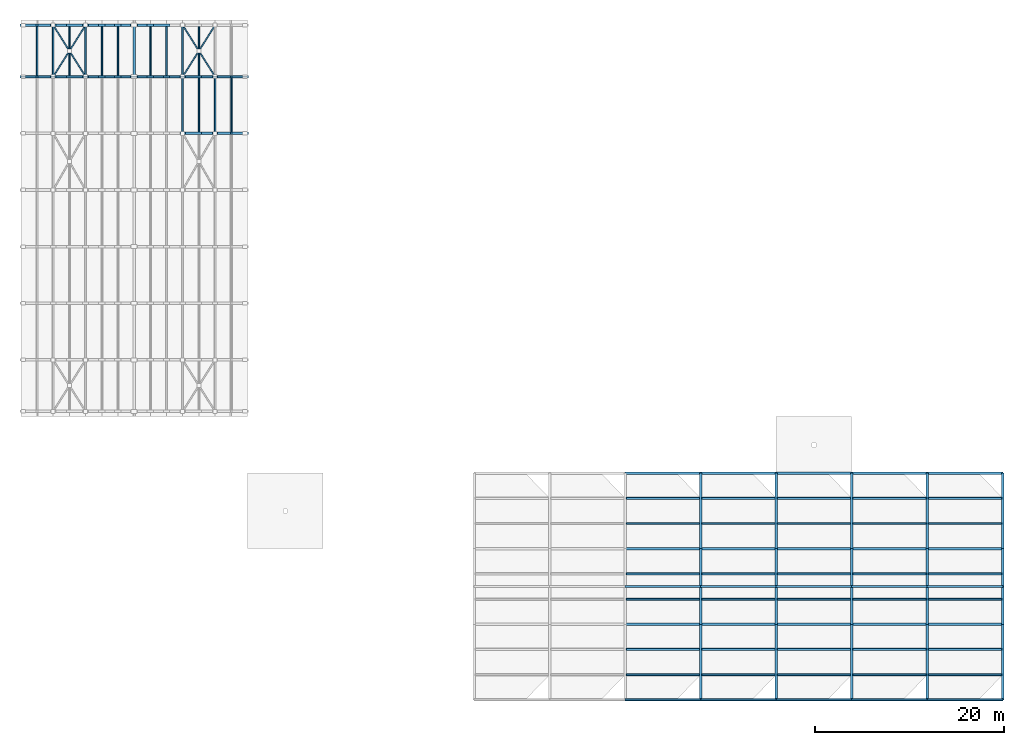
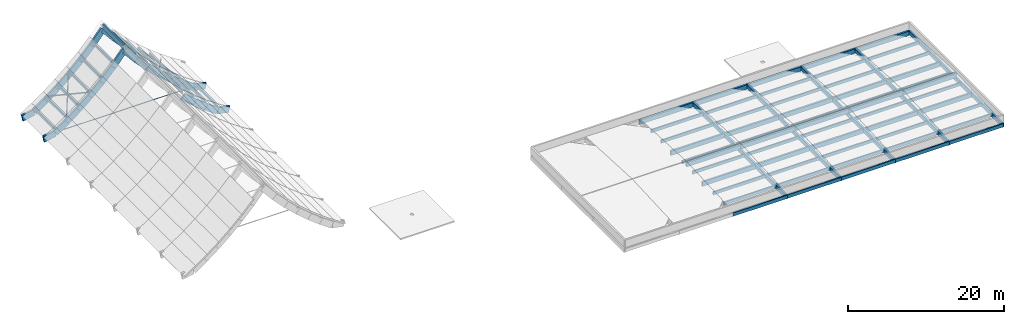
# One storey, part 3 of 7: 71 beams, 48 members.
"""IFC4 building model written with IfcOpenShell, lengths in metres."""

from ifc_helpers import new_model, si_unit, direction, frame, origin, origin_2d, place, context, subcontext, project, spatial, rectangle, hollow_rectangle, hollow_circle, extrude, material, material_profile, profile_set, type_object, element, save


model = new_model("IFC4")

# Units and contexts
model_context = context("Model", 3, precision=1e-05, world=origin(), true_north=direction((0.0, 1.0)))
body_context = subcontext(model_context, "Body", "Model", "MODEL_VIEW")
ifc_project = project(units=[si_unit("LENGTHUNIT", "METRE"), si_unit("AREAUNIT", "SQUARE_METRE"), si_unit("VOLUMEUNIT", "CUBIC_METRE"), si_unit("PLANEANGLEUNIT", "RADIAN"), si_unit("MASSUNIT", "GRAM", prefix="KILO")], contexts=[model_context])

# Site, building, storey
site_placement = place(None, origin())
site = spatial("IfcSite", under=ifc_project, at=site_placement, CompositionType="ELEMENT")
building_placement = place(site_placement, origin())
building = spatial("IfcBuilding", under=site, at=building_placement, Name="Solvane Community Centre", CompositionType="ELEMENT")
storey_placement = place(building_placement, frame((0.0, 0.0, 22.199951171875)))
storey = spatial("IfcBuildingStorey", under=building, at=storey_placement, Name="RF", CompositionType="ELEMENT", Elevation=22.199951171875)

# Beams
ifc_material_1 = material(Name="Glulam GL28h", Category="wood")
ifc_material_profile_1 = material_profile(ifc_material_1, rectangle(XDim=0.27001953125, YDim=0.699951171875, at=origin_2d()), Name="GL28h 270x700")
ifc_profile_set_1 = profile_set([ifc_material_profile_1], Name="Glulam GL28h")
beam_type_1 = type_object("IfcBeamType", Name="Glulam Library Girder 270x700", PredefinedType="USERDEFINED", material=ifc_profile_set_1)
for number, where, z_axis, x_axis, name in (
    (1, (100.0, 14.0, -0.550048828125), (1.0, 0.0, 0.0), (0.0, 1.0, 0.0), "Beam BM-RF-1000_140-1080_140"),
    (2, (108.0, 14.0, -0.550048828125), (1.0, 0.0, 0.0), (0.0, 1.0, 0.0), "Beam BM-RF-1080_140-1160_140"),
    (3, (116.0, 14.0, -0.550048828125), (1.0, 0.0, 0.0), (0.0, 1.0, 0.0), "Beam BM-RF-1160_140-1240_140"),
    (4, (124.0, 14.0, -0.550048828125), (1.0, 0.0, 0.0), (0.0, 1.0, 0.0), "Beam BM-RF-1240_140-1320_140"),
    (5, (132.0, 14.0, -0.550048828125), (1.0, 0.0, 0.0), (0.0, 1.0, 0.0), "Beam BM-RF-1320_140-1400_140"),
    (6, (100.0, 22.0, -0.550048828125), (1.0, 0.0, 0.0), (0.0, 1.0, 0.0), "Beam BM-RF-1000_220-1080_220"),
    (7, (108.0, 22.0, -0.550048828125), (1.0, 0.0, 0.0), (0.0, 1.0, 0.0), "Beam BM-RF-1080_220-1160_220"),
    (8, (116.0, 22.0, -0.550048828125), (1.0, 0.0, 0.0), (0.0, 1.0, 0.0), "Beam BM-RF-1160_220-1240_220"),
    (9, (124.0, 22.0, -0.550048828125), (1.0, 0.0, 0.0), (0.0, 1.0, 0.0), "Beam BM-RF-1240_220-1320_220"),
    (10, (132.0, 22.0, -0.550048828125), (1.0, 0.0, 0.0), (0.0, 1.0, 0.0), "Beam BM-RF-1320_220-1400_220"),
    (11, (100.0, 30.0, -0.550048828125), (1.0, 0.0, 0.0), (0.0, 1.0, 0.0), "Beam BM-RF-1000_300-1080_300"),
    (12, (108.0, 30.0, -0.550048828125), (1.0, 0.0, 0.0), (0.0, 1.0, 0.0), "Beam BM-RF-1080_300-1160_300"),
    (13, (116.0, 30.0, -0.550048828125), (1.0, 0.0, 0.0), (0.0, 1.0, 0.0), "Beam BM-RF-1160_300-1240_300"),
    (14, (124.0, 30.0, -0.550048828125), (1.0, 0.0, 0.0), (0.0, 1.0, 0.0), "Beam BM-RF-1240_300-1320_300"),
    (15, (132.0, 30.0, -0.550048828125), (1.0, 0.0, 0.0), (0.0, 1.0, 0.0), "Beam BM-RF-1320_300-1400_300"),
):
    element("IfcBeam", number, at=place(storey_placement, frame(where, z_axis=z_axis, x_axis=x_axis)), inside=storey, type_object=beam_type_1, Name=name, ObjectType="GIRDER", PredefinedType="USERDEFINED", context=body_context, shape_type="SweptSolid", body=[
        extrude(rectangle(XDim=0.27001953125, YDim=0.699951171875, at=origin_2d()), origin(), (0.0, 0.0, 1.0), 8.0),
    ])
ifc_material_profile_2 = material_profile(ifc_material_1, rectangle(XDim=0.199951171875, YDim=0.47998046875, at=origin_2d()), Name="GL28h 200x480")
ifc_profile_set_2 = profile_set([ifc_material_profile_2], Name="Glulam GL28h")
beam_type_2 = type_object("IfcBeamType", Name="Glulam Medium Joist 200x480", PredefinedType="JOIST", material=ifc_profile_set_2)
for number, where, z_axis, x_axis, name in (
    (16, (100.1298828125, 8.666748046875, -0.43994140625), (1.0, 0.0, 0.0), (0.0, 1.0, 0.0), "Beam BM-RF-1001_87-1079_87"),
    (17, (100.1298828125, 11.333251953125, -0.43994140625), (1.0, 0.0, 0.0), (0.0, 1.0, 0.0), "Beam BM-RF-1001_113-1079_113"),
    (18, (100.1298828125, 16.666748046875, -0.43994140625), (1.0, 0.0, 0.0), (0.0, 1.0, 0.0), "Beam BM-RF-1001_167-1079_167"),
    (19, (100.1298828125, 19.333251953125, -0.43994140625), (1.0, 0.0, 0.0), (0.0, 1.0, 0.0), "Beam BM-RF-1001_193-1079_193"),
    (20, (100.1298828125, 24.666748046875, -0.43994140625), (1.0, 0.0, 0.0), (0.0, 1.0, 0.0), "Beam BM-RF-1001_247-1079_247"),
    (21, (100.1298828125, 27.333251953125, -0.43994140625), (1.0, 0.0, 0.0), (0.0, 1.0, 0.0), "Beam BM-RF-1001_273-1079_273"),
    (22, (108.1298828125, 8.666748046875, -0.43994140625), (1.0, 0.0, 0.0), (0.0, 1.0, 0.0), "Beam BM-RF-1081_87-1159_87"),
    (23, (108.1298828125, 11.333251953125, -0.43994140625), (1.0, 0.0, 0.0), (0.0, 1.0, 0.0), "Beam BM-RF-1081_113-1159_113"),
    (24, (108.1298828125, 16.666748046875, -0.43994140625), (1.0, 0.0, 0.0), (0.0, 1.0, 0.0), "Beam BM-RF-1081_167-1159_167"),
    (25, (108.1298828125, 19.333251953125, -0.43994140625), (1.0, 0.0, 0.0), (0.0, 1.0, 0.0), "Beam BM-RF-1081_193-1159_193"),
    (26, (108.1298828125, 24.666748046875, -0.43994140625), (1.0, 0.0, 0.0), (0.0, 1.0, 0.0), "Beam BM-RF-1081_247-1159_247"),
    (27, (108.1298828125, 27.333251953125, -0.43994140625), (1.0, 0.0, 0.0), (0.0, 1.0, 0.0), "Beam BM-RF-1081_273-1159_273"),
    (28, (116.1298828125, 8.666748046875, -0.43994140625), (1.0, 0.0, 0.0), (0.0, 1.0, 0.0), "Beam BM-RF-1161_87-1239_87"),
    (29, (116.1298828125, 11.333251953125, -0.43994140625), (1.0, 0.0, 0.0), (0.0, 1.0, 0.0), "Beam BM-RF-1161_113-1239_113"),
    (30, (116.1298828125, 16.666748046875, -0.43994140625), (1.0, 0.0, 0.0), (0.0, 1.0, 0.0), "Beam BM-RF-1161_167-1239_167"),
    (31, (116.1298828125, 19.333251953125, -0.43994140625), (1.0, 0.0, 0.0), (0.0, 1.0, 0.0), "Beam BM-RF-1161_193-1239_193"),
    (32, (116.1298828125, 24.666748046875, -0.43994140625), (1.0, 0.0, 0.0), (0.0, 1.0, 0.0), "Beam BM-RF-1161_247-1239_247"),
    (33, (116.1298828125, 27.333251953125, -0.43994140625), (1.0, 0.0, 0.0), (0.0, 1.0, 0.0), "Beam BM-RF-1161_273-1239_273"),
    (34, (124.1298828125, 8.666748046875, -0.43994140625), (1.0, 0.0, 0.0), (0.0, 1.0, 0.0), "Beam BM-RF-1241_87-1319_87"),
    (35, (124.1298828125, 11.333251953125, -0.43994140625), (1.0, 0.0, 0.0), (0.0, 1.0, 0.0), "Beam BM-RF-1241_113-1319_113"),
    (36, (124.1298828125, 16.666748046875, -0.43994140625), (1.0, 0.0, 0.0), (0.0, 1.0, 0.0), "Beam BM-RF-1241_167-1319_167"),
    (37, (124.1298828125, 19.333251953125, -0.43994140625), (1.0, 0.0, 0.0), (0.0, 1.0, 0.0), "Beam BM-RF-1241_193-1319_193"),
    (38, (124.1298828125, 24.666748046875, -0.43994140625), (1.0, 0.0, 0.0), (0.0, 1.0, 0.0), "Beam BM-RF-1241_247-1319_247"),
    (39, (124.1298828125, 27.333251953125, -0.43994140625), (1.0, 0.0, 0.0), (0.0, 1.0, 0.0), "Beam BM-RF-1241_273-1319_273"),
    (40, (132.1298828125, 8.666748046875, -0.43994140625), (1.0, 0.0, 0.0), (0.0, 1.0, 0.0), "Beam BM-RF-1321_87-1399_87"),
    (41, (132.1298828125, 11.333251953125, -0.43994140625), (1.0, 0.0, 0.0), (0.0, 1.0, 0.0), "Beam BM-RF-1321_113-1399_113"),
    (42, (132.1298828125, 16.666748046875, -0.43994140625), (1.0, 0.0, 0.0), (0.0, 1.0, 0.0), "Beam BM-RF-1321_167-1399_167"),
    (43, (132.1298828125, 19.333251953125, -0.43994140625), (1.0, 0.0, 0.0), (0.0, 1.0, 0.0), "Beam BM-RF-1321_193-1399_193"),
    (44, (132.1298828125, 24.666748046875, -0.43994140625), (1.0, 0.0, 0.0), (0.0, 1.0, 0.0), "Beam BM-RF-1321_247-1399_247"),
    (45, (132.1298828125, 27.333251953125, -0.43994140625), (1.0, 0.0, 0.0), (0.0, 1.0, 0.0), "Beam BM-RF-1321_273-1399_273"),
):
    element("IfcBeam", number, at=place(storey_placement, frame(where, z_axis=z_axis, x_axis=x_axis)), inside=storey, type_object=beam_type_2, Name=name, PredefinedType="JOIST", context=body_context, shape_type="SweptSolid", body=[
        extrude(rectangle(XDim=0.199951171875, YDim=0.47998046875, at=origin_2d()), origin(), (0.0, 0.0, 1.0), 7.740234375),
    ])
ifc_material_profile_3 = material_profile(ifc_material_1, rectangle(XDim=0.260009765625, YDim=0.679931640625, at=origin_2d()), Name="GL28h 260x680")
ifc_profile_set_3 = profile_set([ifc_material_profile_3], Name="Glulam GL28h")
beam_type_3 = type_object("IfcBeamType", Name="Glulam Primary Girder 260x680", PredefinedType="USERDEFINED", material=ifc_profile_set_3)
for number, where, z_axis, x_axis, name in (
    (46, (100.0, 18.0, 0.06005859375), (1.0, 0.0, 0.0), (0.0, 1.0, 0.0), "Beam BM-RF-1000_180-1080_180"),
    (47, (108.0, 18.0, 0.06005859375), (1.0, 0.0, 0.0), (0.0, 1.0, 0.0), "Beam BM-RF-1080_180-1160_180"),
    (48, (116.0, 18.0, 0.06005859375), (1.0, 0.0, 0.0), (0.0, 1.0, 0.0), "Beam BM-RF-1160_180-1240_180"),
    (49, (124.0, 18.0, 0.06005859375), (1.0, 0.0, 0.0), (0.0, 1.0, 0.0), "Beam BM-RF-1240_180-1320_180"),
    (50, (132.0, 18.0, 0.06005859375), (1.0, 0.0, 0.0), (0.0, 1.0, 0.0), "Beam BM-RF-1320_180-1400_180"),
):
    element("IfcBeam", number, at=place(storey_placement, frame(where, z_axis=z_axis, x_axis=x_axis)), inside=storey, type_object=beam_type_3, Name=name, ObjectType="GIRDER", PredefinedType="USERDEFINED", context=body_context, shape_type="SweptSolid", body=[
        extrude(rectangle(XDim=0.260009765625, YDim=0.679931640625, at=origin_2d()), origin(), (0.0, 0.0, 1.0), 8.0),
    ])
ifc_material_profile_4 = material_profile(ifc_material_1, rectangle(XDim=0.199951171875, YDim=0.52001953125, at=origin_2d()), Name="GL28h 200x520")
ifc_profile_set_4 = profile_set([ifc_material_profile_4], Name="Glulam GL28h")
beam_type_4 = type_object("IfcBeamType", Name="Glulam Spandrel Beam 200x520", PredefinedType="SPANDREL", material=ifc_profile_set_4)
for number, where, z_axis, x_axis, name in (
    (51, (100.0, 6.0, -0.4599609375), (1.0, 0.0, 0.0), (0.0, 1.0, 0.0), "Beam BM-RF-1000_60-1080_60"),
    (52, (108.0, 6.0, -0.4599609375), (1.0, 0.0, 0.0), (0.0, 1.0, 0.0), "Beam BM-RF-1080_60-1160_60"),
    (53, (116.0, 6.0, -0.4599609375), (1.0, 0.0, 0.0), (0.0, 1.0, 0.0), "Beam BM-RF-1160_60-1240_60"),
    (54, (124.0, 6.0, -0.4599609375), (1.0, 0.0, 0.0), (0.0, 1.0, 0.0), "Beam BM-RF-1240_60-1320_60"),
    (55, (132.0, 6.0, -0.4599609375), (1.0, 0.0, 0.0), (0.0, 1.0, 0.0), "Beam BM-RF-1320_60-1400_60"),
):
    element("IfcBeam", number, at=place(storey_placement, frame(where, z_axis=z_axis, x_axis=x_axis)), inside=storey, type_object=beam_type_4, Name=name, PredefinedType="SPANDREL", context=body_context, shape_type="SweptSolid", body=[
        extrude(rectangle(XDim=0.199951171875, YDim=0.52001953125, at=origin_2d()), origin(), (0.0, 0.0, 1.0), 8.0),
    ])
ifc_material_profile_5 = material_profile(ifc_material_1, rectangle(XDim=0.260009765625, YDim=0.639892578125, at=origin_2d()), Name="GL28h 260x640")
ifc_profile_set_5 = profile_set([ifc_material_profile_5], Name="Glulam GL28h")
beam_type_5 = type_object("IfcBeamType", Name="Glulam Studio Beam 260x640", PredefinedType="BEAM", material=ifc_profile_set_5)
for number, where, z_axis, x_axis, name in (
    (56, (108.0, 6.0, -0.52001953125), (0.0, 1.0, 0.0), (-1.0, 0.0, 0.0), "Beam BM-RF-1080_60-1080_140"),
    (57, (108.0, 14.0, -0.52001953125), (0.0, 1.0, 0.0), (-1.0, 0.0, 0.0), "Beam BM-RF-1080_140-1080_220"),
    (58, (108.0, 22.0, -0.52001953125), (0.0, 1.0, 0.0), (-1.0, 0.0, 0.0), "Beam BM-RF-1080_220-1080_300"),
    (59, (116.0, 6.0, -0.52001953125), (0.0, 1.0, 0.0), (-1.0, 0.0, 0.0), "Beam BM-RF-1160_60-1160_140"),
    (60, (116.0, 14.0, -0.52001953125), (0.0, 1.0, 0.0), (-1.0, 0.0, 0.0), "Beam BM-RF-1160_140-1160_220"),
    (61, (116.0, 22.0, -0.52001953125), (0.0, 1.0, 0.0), (-1.0, 0.0, 0.0), "Beam BM-RF-1160_220-1160_300"),
    (62, (124.0, 6.0, -0.52001953125), (0.0, 1.0, 0.0), (-1.0, 0.0, 0.0), "Beam BM-RF-1240_60-1240_140"),
    (63, (124.0, 14.0, -0.52001953125), (0.0, 1.0, 0.0), (-1.0, 0.0, 0.0), "Beam BM-RF-1240_140-1240_220"),
    (64, (124.0, 22.0, -0.52001953125), (0.0, 1.0, 0.0), (-1.0, 0.0, 0.0), "Beam BM-RF-1240_220-1240_300"),
    (65, (132.0, 6.0, -0.52001953125), (0.0, 1.0, 0.0), (-1.0, 0.0, 0.0), "Beam BM-RF-1320_60-1320_140"),
    (66, (132.0, 14.0, -0.52001953125), (0.0, 1.0, 0.0), (-1.0, 0.0, 0.0), "Beam BM-RF-1320_140-1320_220"),
    (67, (132.0, 22.0, -0.52001953125), (0.0, 1.0, 0.0), (-1.0, 0.0, 0.0), "Beam BM-RF-1320_220-1320_300"),
    (68, (140.0, 6.0, -0.52001953125), (0.0, 1.0, 0.0), (-1.0, 0.0, 0.0), "Beam BM-RF-1400_60-1400_140"),
    (69, (140.0, 14.0, -0.52001953125), (0.0, 1.0, 0.0), (-1.0, 0.0, 0.0), "Beam BM-RF-1400_140-1400_220"),
    (70, (140.0, 22.0, -0.52001953125), (0.0, 1.0, 0.0), (-1.0, 0.0, 0.0), "Beam BM-RF-1400_220-1400_300"),
):
    element("IfcBeam", number, at=place(storey_placement, frame(where, z_axis=z_axis, x_axis=x_axis)), inside=storey, type_object=beam_type_5, Name=name, PredefinedType="BEAM", context=body_context, shape_type="SweptSolid", body=[
        extrude(rectangle(XDim=0.260009765625, YDim=0.639892578125, at=origin_2d()), origin(), (0.0, 0.0, 1.0), 8.0),
    ])
ifc_material_2 = material(Name="Glulam GL32h", Category="wood")
ifc_material_profile_6 = material_profile(ifc_material_2, rectangle(XDim=0.260009765625, YDim=0.760009765625, at=origin_2d()), Name="GL32h 260x760")
ifc_profile_set_6 = profile_set([ifc_material_profile_6], Name="Glulam GL32h")
beam_type_6 = type_object("IfcBeamType", Name="Glulam Vault Apex Ridge 260x760", PredefinedType="USERDEFINED", material=ifc_profile_set_6)
beam_placement = place(storey_placement, frame((48.0, 72.0, 3.901123046875), z_axis=(0.0, 1.0, 0.0), x_axis=(-1.0, 0.0, 0.0)))
element("IfcBeam", 71, at=beam_placement, inside=storey, type_object=beam_type_6, Name="Beam BM-RF-480_720-480_774", ObjectType="GIRDER", PredefinedType="USERDEFINED", context=body_context, shape_type="SweptSolid", body=[
    extrude(rectangle(XDim=0.260009765625, YDim=0.760009765625, at=origin_2d()), origin(), (0.0, 0.0, 1.0), 5.449951171875),
])

# Members
ifc_material_profile_7 = material_profile(ifc_material_2, rectangle(XDim=0.280029296875, YDim=0.9599609375, at=origin_2d()), Name="GL32h 280x960")
ifc_profile_set_7 = profile_set([ifc_material_profile_7], Name="Glulam GL32h")
member_type_1 = type_object("IfcMemberType", Name="Main Hall Concave Vault Arch Rib 280x960", PredefinedType="USERDEFINED", material=ifc_profile_set_7)
member_1_placement = place(storey_placement, frame((53.142822265625, 66.0, -1.991455078125), z_axis=(0.761120350915, 0.0, -0.648610677852), x_axis=(0.0, 1.0, 0.0)))
element("IfcMember", 72, at=member_1_placement, inside=storey, type_object=member_type_1, Name="Member MEM-RF-0085", ObjectType="ARCH_SEGMENT", PredefinedType="USERDEFINED", context=body_context, shape_type="SweptSolid", body=[
    extrude(rectangle(XDim=0.280029296875, YDim=0.9599609375, at=origin_2d()), origin(), (0.0, 0.0, 1.0), 2.25244140625),
])
member_2_placement = place(storey_placement, frame((54.857177734375, 66.0, -3.452392578125), z_axis=(0.791780697504, 0.0, -0.610805473993), x_axis=(0.0, 1.0, 0.0)))
element("IfcMember", 73, at=member_2_placement, inside=storey, type_object=member_type_1, Name="Member MEM-RF-0086", ObjectType="ARCH_SEGMENT", PredefinedType="USERDEFINED", context=body_context, shape_type="SweptSolid", body=[
    extrude(rectangle(XDim=0.280029296875, YDim=0.9599609375, at=origin_2d()), origin(), (0.0, 0.0, 1.0), 2.165283203125),
])
member_3_placement = place(storey_placement, frame((56.571533203125, 66.0, -4.77490234375), z_axis=(0.819489561323, 0.0, -0.57309410997), x_axis=(0.0, 1.0, 0.0)))
element("IfcMember", 74, at=member_3_placement, inside=storey, type_object=member_type_1, Name="Member MEM-RF-0087", ObjectType="ARCH_SEGMENT", PredefinedType="USERDEFINED", context=body_context, shape_type="SweptSolid", body=[
    extrude(rectangle(XDim=0.280029296875, YDim=0.9599609375, at=origin_2d()), origin(), (0.0, 0.0, 1.0), 2.091796875),
])
for number, where, z_axis, x_axis, name in (
    (75, (58.28564453125, 66.0, -5.9736328125), (0.982352033108, 0.0, -0.187041393943), (0.0, 1.0, 0.0), "Member MEM-RF-0088"),
    (76, (36.0, 72.0, -6.300048828125), (0.982352033108, 0.0, 0.187041393943), (0.0, 1.0, 0.0), "Member MEM-RF-0090"),
):
    element("IfcMember", number, at=place(storey_placement, frame(where, z_axis=z_axis, x_axis=x_axis)), inside=storey, type_object=member_type_1, Name=name, ObjectType="ARCH_SEGMENT", PredefinedType="USERDEFINED", context=body_context, shape_type="SweptSolid", body=[
        extrude(rectangle(XDim=0.280029296875, YDim=0.9599609375, at=origin_2d()), origin(), (0.0, 0.0, 1.0), 1.7451171875),
    ])
member_4_placement = place(storey_placement, frame((37.71435546875, 72.0, -5.9736328125), z_axis=(0.819489561323, 0.0, 0.57309410997), x_axis=(0.0, 1.0, 0.0)))
element("IfcMember", 77, at=member_4_placement, inside=storey, type_object=member_type_1, Name="Member MEM-RF-0091", ObjectType="ARCH_SEGMENT", PredefinedType="USERDEFINED", context=body_context, shape_type="SweptSolid", body=[
    extrude(rectangle(XDim=0.280029296875, YDim=0.9599609375, at=origin_2d()), origin(), (0.0, 0.0, 1.0), 2.091796875),
])
member_5_placement = place(storey_placement, frame((39.428466796875, 72.0, -4.77490234375), z_axis=(0.791780697504, 0.0, 0.610805473993), x_axis=(0.0, 1.0, 0.0)))
element("IfcMember", 78, at=member_5_placement, inside=storey, type_object=member_type_1, Name="Member MEM-RF-0092", ObjectType="ARCH_SEGMENT", PredefinedType="USERDEFINED", context=body_context, shape_type="SweptSolid", body=[
    extrude(rectangle(XDim=0.280029296875, YDim=0.9599609375, at=origin_2d()), origin(), (0.0, 0.0, 1.0), 2.165283203125),
])
member_6_placement = place(storey_placement, frame((41.142822265625, 72.0, -3.452392578125), z_axis=(0.761120350915, 0.0, 0.648610677852), x_axis=(0.0, 1.0, 0.0)))
element("IfcMember", 79, at=member_6_placement, inside=storey, type_object=member_type_1, Name="Member MEM-RF-0093", ObjectType="ARCH_SEGMENT", PredefinedType="USERDEFINED", context=body_context, shape_type="SweptSolid", body=[
    extrude(rectangle(XDim=0.280029296875, YDim=0.9599609375, at=origin_2d()), origin(), (0.0, 0.0, 1.0), 2.25244140625),
])
member_7_placement = place(storey_placement, frame((42.857177734375, 72.0, -1.991455078125), z_axis=(0.727369263195, 0.0, 0.686246278648), x_axis=(0.0, 1.0, 0.0)))
element("IfcMember", 80, at=member_7_placement, inside=storey, type_object=member_type_1, Name="Member MEM-RF-0094", ObjectType="ARCH_SEGMENT", PredefinedType="USERDEFINED", context=body_context, shape_type="SweptSolid", body=[
    extrude(rectangle(XDim=0.280029296875, YDim=0.9599609375, at=origin_2d()), origin(), (0.0, 0.0, 1.0), 2.35693359375),
])
member_8_placement = place(storey_placement, frame((44.571533203125, 72.0, -0.3740234375), z_axis=(0.689706682626, 0.0, 0.724088870195), x_axis=(0.0, 1.0, 0.0)))
element("IfcMember", 81, at=member_8_placement, inside=storey, type_object=member_type_1, Name="Member MEM-RF-0095", ObjectType="ARCH_SEGMENT", PredefinedType="USERDEFINED", context=body_context, shape_type="SweptSolid", body=[
    extrude(rectangle(XDim=0.280029296875, YDim=0.9599609375, at=origin_2d()), origin(), (0.0, 0.0, 1.0), 2.4853515625),
])
for number, where, z_axis, x_axis, name in (
    (82, (46.28564453125, 72.0, 1.425537109375), (0.643260831672, 0.0, 0.765647113517), (0.0, 1.0, 0.0), "Member MEM-RF-0096"),
    (83, (48.0, 72.0, 3.466064453125), (0.643260831672, 0.0, -0.765647113517), (0.0, 1.0, 0.0), "Member MEM-RF-0097"),
):
    element("IfcMember", number, at=place(storey_placement, frame(where, z_axis=z_axis, x_axis=x_axis)), inside=storey, type_object=member_type_1, Name=name, ObjectType="ARCH_SEGMENT", PredefinedType="USERDEFINED", context=body_context, shape_type="SweptSolid", body=[
        extrude(rectangle(XDim=0.280029296875, YDim=0.9599609375, at=origin_2d()), origin(), (0.0, 0.0, 1.0), 2.6650390625),
    ])
member_9_placement = place(storey_placement, frame((49.71435546875, 72.0, 1.425537109375), z_axis=(0.689706682626, 0.0, -0.724088870195), x_axis=(0.0, 1.0, 0.0)))
element("IfcMember", 84, at=member_9_placement, inside=storey, type_object=member_type_1, Name="Member MEM-RF-0098", ObjectType="ARCH_SEGMENT", PredefinedType="USERDEFINED", context=body_context, shape_type="SweptSolid", body=[
    extrude(rectangle(XDim=0.280029296875, YDim=0.9599609375, at=origin_2d()), origin(), (0.0, 0.0, 1.0), 2.4853515625),
])
member_10_placement = place(storey_placement, frame((51.428466796875, 72.0, -0.3740234375), z_axis=(0.727369263195, 0.0, -0.686246278648), x_axis=(0.0, 1.0, 0.0)))
element("IfcMember", 85, at=member_10_placement, inside=storey, type_object=member_type_1, Name="Member MEM-RF-0099", ObjectType="ARCH_SEGMENT", PredefinedType="USERDEFINED", context=body_context, shape_type="SweptSolid", body=[
    extrude(rectangle(XDim=0.280029296875, YDim=0.9599609375, at=origin_2d()), origin(), (0.0, 0.0, 1.0), 2.35693359375),
])
member_11_placement = place(storey_placement, frame((53.142822265625, 72.0, -1.991455078125), z_axis=(0.761120350915, 0.0, -0.648610677852), x_axis=(0.0, 1.0, 0.0)))
element("IfcMember", 86, at=member_11_placement, inside=storey, type_object=member_type_1, Name="Member MEM-RF-0100", ObjectType="ARCH_SEGMENT", PredefinedType="USERDEFINED", context=body_context, shape_type="SweptSolid", body=[
    extrude(rectangle(XDim=0.280029296875, YDim=0.9599609375, at=origin_2d()), origin(), (0.0, 0.0, 1.0), 2.25244140625),
])
member_12_placement = place(storey_placement, frame((54.857177734375, 72.0, -3.452392578125), z_axis=(0.791780697504, 0.0, -0.610805473993), x_axis=(0.0, 1.0, 0.0)))
element("IfcMember", 87, at=member_12_placement, inside=storey, type_object=member_type_1, Name="Member MEM-RF-0101", ObjectType="ARCH_SEGMENT", PredefinedType="USERDEFINED", context=body_context, shape_type="SweptSolid", body=[
    extrude(rectangle(XDim=0.280029296875, YDim=0.9599609375, at=origin_2d()), origin(), (0.0, 0.0, 1.0), 2.165283203125),
])
member_13_placement = place(storey_placement, frame((56.571533203125, 72.0, -4.77490234375), z_axis=(0.819489561323, 0.0, -0.57309410997), x_axis=(0.0, 1.0, 0.0)))
element("IfcMember", 88, at=member_13_placement, inside=storey, type_object=member_type_1, Name="Member MEM-RF-0102", ObjectType="ARCH_SEGMENT", PredefinedType="USERDEFINED", context=body_context, shape_type="SweptSolid", body=[
    extrude(rectangle(XDim=0.280029296875, YDim=0.9599609375, at=origin_2d()), origin(), (0.0, 0.0, 1.0), 2.091796875),
])
for number, where, z_axis, x_axis, name in (
    (89, (58.28564453125, 72.0, -5.9736328125), (0.982352033108, 0.0, -0.187041393943), (0.0, 1.0, 0.0), "Member MEM-RF-0103"),
    (90, (36.0, 77.449951171875, -6.300048828125), (0.982352033108, 0.0, 0.187041393943), (0.0, 1.0, 0.0), "Member MEM-RF-0105"),
):
    element("IfcMember", number, at=place(storey_placement, frame(where, z_axis=z_axis, x_axis=x_axis)), inside=storey, type_object=member_type_1, Name=name, ObjectType="ARCH_SEGMENT", PredefinedType="USERDEFINED", context=body_context, shape_type="SweptSolid", body=[
        extrude(rectangle(XDim=0.280029296875, YDim=0.9599609375, at=origin_2d()), origin(), (0.0, 0.0, 1.0), 1.7451171875),
    ])
member_14_placement = place(storey_placement, frame((37.71435546875, 77.449951171875, -5.9736328125), z_axis=(0.819489561323, 0.0, 0.57309410997), x_axis=(0.0, 1.0, 0.0)))
element("IfcMember", 91, at=member_14_placement, inside=storey, type_object=member_type_1, Name="Member MEM-RF-0106", ObjectType="ARCH_SEGMENT", PredefinedType="USERDEFINED", context=body_context, shape_type="SweptSolid", body=[
    extrude(rectangle(XDim=0.280029296875, YDim=0.9599609375, at=origin_2d()), origin(), (0.0, 0.0, 1.0), 2.091796875),
])
member_15_placement = place(storey_placement, frame((39.428466796875, 77.449951171875, -4.77490234375), z_axis=(0.791780697504, 0.0, 0.610805473993), x_axis=(0.0, 1.0, 0.0)))
element("IfcMember", 92, at=member_15_placement, inside=storey, type_object=member_type_1, Name="Member MEM-RF-0107", ObjectType="ARCH_SEGMENT", PredefinedType="USERDEFINED", context=body_context, shape_type="SweptSolid", body=[
    extrude(rectangle(XDim=0.280029296875, YDim=0.9599609375, at=origin_2d()), origin(), (0.0, 0.0, 1.0), 2.165283203125),
])
member_16_placement = place(storey_placement, frame((41.142822265625, 77.449951171875, -3.452392578125), z_axis=(0.761120350915, 0.0, 0.648610677852), x_axis=(0.0, 1.0, 0.0)))
element("IfcMember", 93, at=member_16_placement, inside=storey, type_object=member_type_1, Name="Member MEM-RF-0108", ObjectType="ARCH_SEGMENT", PredefinedType="USERDEFINED", context=body_context, shape_type="SweptSolid", body=[
    extrude(rectangle(XDim=0.280029296875, YDim=0.9599609375, at=origin_2d()), origin(), (0.0, 0.0, 1.0), 2.25244140625),
])
member_17_placement = place(storey_placement, frame((42.857177734375, 77.449951171875, -1.991455078125), z_axis=(0.727369263195, 0.0, 0.686246278648), x_axis=(0.0, 1.0, 0.0)))
element("IfcMember", 94, at=member_17_placement, inside=storey, type_object=member_type_1, Name="Member MEM-RF-0109", ObjectType="ARCH_SEGMENT", PredefinedType="USERDEFINED", context=body_context, shape_type="SweptSolid", body=[
    extrude(rectangle(XDim=0.280029296875, YDim=0.9599609375, at=origin_2d()), origin(), (0.0, 0.0, 1.0), 2.35693359375),
])
member_18_placement = place(storey_placement, frame((44.571533203125, 77.449951171875, -0.3740234375), z_axis=(0.689706682626, 0.0, 0.724088870195), x_axis=(0.0, 1.0, 0.0)))
element("IfcMember", 95, at=member_18_placement, inside=storey, type_object=member_type_1, Name="Member MEM-RF-0110", ObjectType="ARCH_SEGMENT", PredefinedType="USERDEFINED", context=body_context, shape_type="SweptSolid", body=[
    extrude(rectangle(XDim=0.280029296875, YDim=0.9599609375, at=origin_2d()), origin(), (0.0, 0.0, 1.0), 2.4853515625),
])
for number, where, z_axis, x_axis, name in (
    (96, (46.28564453125, 77.449951171875, 1.425537109375), (0.643260831672, 0.0, 0.765647113517), (0.0, 1.0, 0.0), "Member MEM-RF-0111"),
    (97, (48.0, 77.449951171875, 3.466064453125), (0.643260831672, 0.0, -0.765647113517), (0.0, 1.0, 0.0), "Member MEM-RF-0112"),
):
    element("IfcMember", number, at=place(storey_placement, frame(where, z_axis=z_axis, x_axis=x_axis)), inside=storey, type_object=member_type_1, Name=name, ObjectType="ARCH_SEGMENT", PredefinedType="USERDEFINED", context=body_context, shape_type="SweptSolid", body=[
        extrude(rectangle(XDim=0.280029296875, YDim=0.9599609375, at=origin_2d()), origin(), (0.0, 0.0, 1.0), 2.6650390625),
    ])
member_19_placement = place(storey_placement, frame((49.71435546875, 77.449951171875, 1.425537109375), z_axis=(0.689706682626, 0.0, -0.724088870195), x_axis=(0.0, 1.0, 0.0)))
element("IfcMember", 98, at=member_19_placement, inside=storey, type_object=member_type_1, Name="Member MEM-RF-0113", ObjectType="ARCH_SEGMENT", PredefinedType="USERDEFINED", context=body_context, shape_type="SweptSolid", body=[
    extrude(rectangle(XDim=0.280029296875, YDim=0.9599609375, at=origin_2d()), origin(), (0.0, 0.0, 1.0), 2.4853515625),
])
ifc_material_profile_8 = material_profile(ifc_material_1, rectangle(XDim=0.159912109375, YDim=0.360107421875, at=origin_2d()), Name="GL28h 160x360")
ifc_profile_set_8 = profile_set([ifc_material_profile_8], Name="Glulam GL28h")
member_type_2 = type_object("IfcMemberType", Name="Main Hall Vault Purlin 160x360", PredefinedType="PURLIN", material=ifc_profile_set_8)
for number, where, z_axis, x_axis, name in (
    (99, (53.142822265625, 66.0, -1.3564453125), (0.0, 1.0, 0.0), (-1.0, 0.0, 0.0), "Member MEM-RF-0195"),
    (100, (54.857177734375, 66.0, -2.8173828125), (0.0, 1.0, 0.0), (-1.0, 0.0, 0.0), "Member MEM-RF-0196"),
    (101, (56.571533203125, 66.0, -4.139892578125), (0.0, 1.0, 0.0), (-1.0, 0.0, 0.0), "Member MEM-RF-0197"),
    (102, (58.28564453125, 66.0, -5.338623046875), (0.0, 1.0, 0.0), (-1.0, 0.0, 0.0), "Member MEM-RF-0198"),
):
    element("IfcMember", number, at=place(storey_placement, frame(where, z_axis=z_axis, x_axis=x_axis)), inside=storey, type_object=member_type_2, Name=name, PredefinedType="PURLIN", context=body_context, shape_type="SweptSolid", body=[
        extrude(rectangle(XDim=0.159912109375, YDim=0.360107421875, at=origin_2d()), origin(), (0.0, 0.0, 1.0), 6.0),
    ])
for number, where, z_axis, x_axis, name in (
    (103, (37.71435546875, 72.0, -5.338623046875), (0.0, 1.0, 0.0), (-1.0, 0.0, 0.0), "Member MEM-RF-0199"),
    (104, (39.428466796875, 72.0, -4.139892578125), (0.0, 1.0, 0.0), (-1.0, 0.0, 0.0), "Member MEM-RF-0200"),
    (105, (41.142822265625, 72.0, -2.8173828125), (0.0, 1.0, 0.0), (-1.0, 0.0, 0.0), "Member MEM-RF-0201"),
    (106, (42.857177734375, 72.0, -1.3564453125), (0.0, 1.0, 0.0), (-1.0, 0.0, 0.0), "Member MEM-RF-0202"),
    (107, (44.571533203125, 72.0, 0.260986328125), (0.0, 1.0, 0.0), (-1.0, 0.0, 0.0), "Member MEM-RF-0203"),
    (108, (46.28564453125, 72.0, 2.060546875), (0.0, 1.0, 0.0), (-1.0, 0.0, 0.0), "Member MEM-RF-0204"),
    (109, (49.71435546875, 72.0, 2.060546875), (0.0, 1.0, 0.0), (-1.0, 0.0, 0.0), "Member MEM-RF-0205"),
    (110, (51.428466796875, 72.0, 0.260986328125), (0.0, 1.0, 0.0), (-1.0, 0.0, 0.0), "Member MEM-RF-0206"),
    (111, (53.142822265625, 72.0, -1.3564453125), (0.0, 1.0, 0.0), (-1.0, 0.0, 0.0), "Member MEM-RF-0207"),
    (112, (54.857177734375, 72.0, -2.8173828125), (0.0, 1.0, 0.0), (-1.0, 0.0, 0.0), "Member MEM-RF-0208"),
):
    element("IfcMember", number, at=place(storey_placement, frame(where, z_axis=z_axis, x_axis=x_axis)), inside=storey, type_object=member_type_2, Name=name, PredefinedType="PURLIN", context=body_context, shape_type="SweptSolid", body=[
        extrude(rectangle(XDim=0.159912109375, YDim=0.360107421875, at=origin_2d()), origin(), (0.0, 0.0, 1.0), 5.449951171875),
    ])
ifc_material_3 = material(Name="Steel ASTM A572 Grade 50", Category="steel")
ifc_material_profile_9 = material_profile(ifc_material_3, hollow_circle(Radius=0.06982421875, WallThickness=0.008056640625, at=origin_2d()), Name="CHS 139.7x8.0")
ifc_profile_set_9 = profile_set([ifc_material_profile_9], Name="Steel ASTM A572 Grade 50")
member_type_3 = type_object("IfcMemberType", Name="Main Vault Tension Tie Rod CHS140", PredefinedType="CHORD", material=ifc_profile_set_9)
member_20_placement = place(storey_placement, frame((36.0400390625, 72.0, -5.849853515625), z_axis=(1.0, 0.0, 0.0), x_axis=(0.0, 1.0, 0.0)))
element("IfcMember", 113, at=member_20_placement, inside=storey, type_object=member_type_3, Name="Member MEM-RF-0104", PredefinedType="CHORD", context=body_context, shape_type="SweptSolid", body=[
    extrude(hollow_circle(Radius=0.06982421875, WallThickness=0.008056640625, at=origin_2d()), origin(), (0.0, 0.0, 1.0), 23.919921875),
])
ifc_material_profile_10 = material_profile(ifc_material_3, hollow_rectangle(XDim=0.15234375, YDim=0.15234375, WallThickness=0.009521484375, InnerFilletRadius=0.009521484375, OuterFilletRadius=0.01904296875, at=origin_2d()), Name="HSS 152x152x9.5")
ifc_profile_set_10 = profile_set([ifc_material_profile_10], Name="Steel ASTM A572 Grade 50")
member_type_4 = type_object("IfcMemberType", Name="Main Vault Wind X-Brace HSS152", PredefinedType="BRACE", material=ifc_profile_set_10)
member_21_placement = place(storey_placement, frame((39.428466796875, 72.0, -4.139892578125), z_axis=(0.488791431553, 0.776936138319, 0.396803696321), x_axis=(-0.846424643051, 0.532508519778, 0.0)))
element("IfcMember", 114, at=member_21_placement, inside=storey, type_object=member_type_4, Name="Member MEM-RF-0211", PredefinedType="BRACE", context=body_context, shape_type="SweptSolid", body=[
    extrude(hollow_rectangle(XDim=0.15234375, YDim=0.15234375, WallThickness=0.009521484375, InnerFilletRadius=0.009521484375, OuterFilletRadius=0.01904296875, at=origin_2d()), origin(), (0.0, 0.0, 1.0), 7.0146484375),
])
member_22_placement = place(storey_placement, frame((42.857177734375, 72.0, -1.3564453125), z_axis=(-0.488790908181, 0.776922535053, -0.396830974858), x_axis=(-0.846420697555, -0.532514791109, 0.0)))
element("IfcMember", 115, at=member_22_placement, inside=storey, type_object=member_type_4, Name="Member MEM-RF-0212", PredefinedType="BRACE", context=body_context, shape_type="SweptSolid", body=[
    extrude(hollow_rectangle(XDim=0.15234375, YDim=0.15234375, WallThickness=0.009521484375, InnerFilletRadius=0.009521484375, OuterFilletRadius=0.01904296875, at=origin_2d()), origin(), (0.0, 0.0, 1.0), 3.427490234375),
])
member_23_placement = place(storey_placement, frame((41.103759765625, 74.787109375, -2.780029296875), z_axis=(-0.488804724124, 0.776944495193, -0.396770957938), x_axis=(-0.846420697555, -0.532514791109, 0.0)))
element("IfcMember", 116, at=member_23_placement, inside=storey, type_object=member_type_4, Name="Member MEM-XBR-RF-0005", PredefinedType="BRACE", context=body_context, shape_type="SweptSolid", body=[
    extrude(hollow_rectangle(XDim=0.15234375, YDim=0.15234375, WallThickness=0.009521484375, InnerFilletRadius=0.009521484375, OuterFilletRadius=0.01904296875, at=origin_2d()), origin(), (0.0, 0.0, 1.0), 3.42724609375),
])
member_24_placement = place(storey_placement, frame((53.142822265625, 72.0, -1.3564453125), z_axis=(0.488791431553, 0.776936138319, -0.396803696321), x_axis=(-0.846424643051, 0.532508519778, 0.0)))
element("IfcMember", 117, at=member_24_placement, inside=storey, type_object=member_type_4, Name="Member MEM-RF-0213", PredefinedType="BRACE", context=body_context, shape_type="SweptSolid", body=[
    extrude(hollow_rectangle(XDim=0.15234375, YDim=0.15234375, WallThickness=0.009521484375, InnerFilletRadius=0.009521484375, OuterFilletRadius=0.01904296875, at=origin_2d()), origin(), (0.0, 0.0, 1.0), 7.0146484375),
])
member_25_placement = place(storey_placement, frame((56.571533203125, 72.0, -4.139892578125), z_axis=(-0.488804724124, 0.776944495193, 0.396770957938), x_axis=(-0.846420697555, -0.532514791109, 0.0)))
element("IfcMember", 118, at=member_25_placement, inside=storey, type_object=member_type_4, Name="Member MEM-RF-0214", PredefinedType="BRACE", context=body_context, shape_type="SweptSolid", body=[
    extrude(hollow_rectangle(XDim=0.15234375, YDim=0.15234375, WallThickness=0.009521484375, InnerFilletRadius=0.009521484375, OuterFilletRadius=0.01904296875, at=origin_2d()), origin(), (0.0, 0.0, 1.0), 3.42724609375),
])
member_26_placement = place(storey_placement, frame((54.818115234375, 74.787109375, -2.716552734375), z_axis=(-0.488790908181, 0.776922535053, 0.396830974858), x_axis=(-0.846420697555, -0.532514791109, 0.0)))
element("IfcMember", 119, at=member_26_placement, inside=storey, type_object=member_type_4, Name="Member MEM-XBR-RF-0006", PredefinedType="BRACE", context=body_context, shape_type="SweptSolid", body=[
    extrude(hollow_rectangle(XDim=0.15234375, YDim=0.15234375, WallThickness=0.009521484375, InnerFilletRadius=0.009521484375, OuterFilletRadius=0.01904296875, at=origin_2d()), origin(), (0.0, 0.0, 1.0), 3.427490234375),
])

save(model, "model.ifc")
